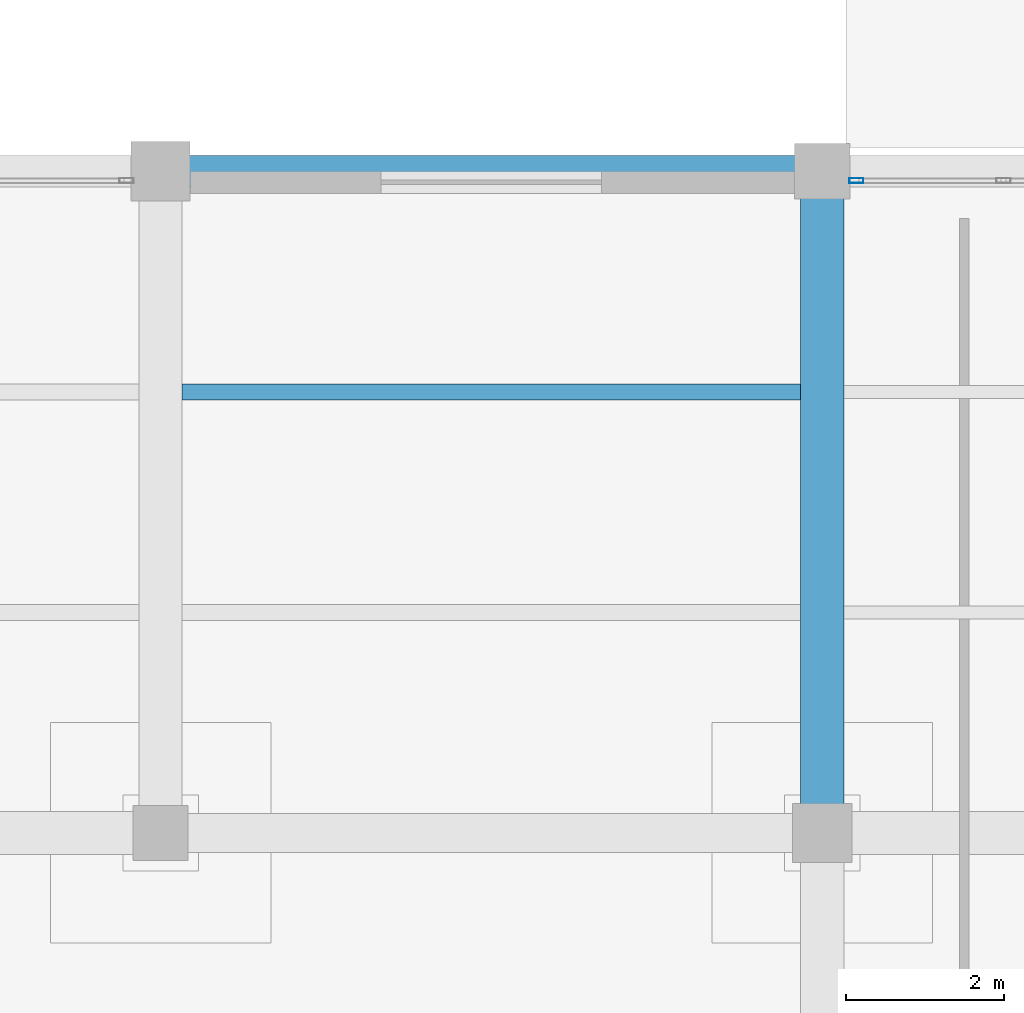
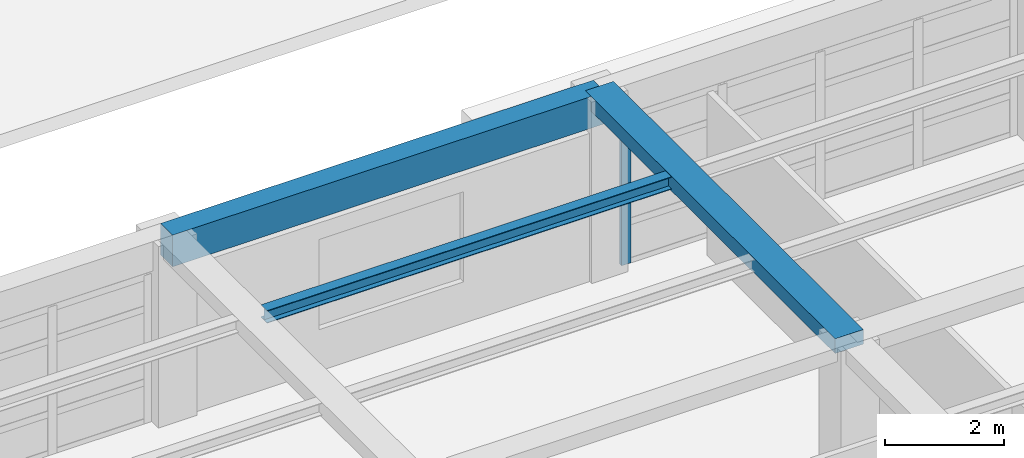
# One storey, part 24 of 35: 3 beams, 1 member, 1 element without a shape of its own.
"""IFC4 building model written with IfcOpenShell, lengths in metres."""

from ifc_helpers import new_model, si_unit, direction, frame, origin, origin_2d, place, context, subcontext, project, spatial, rectangle, hollow_rectangle, i_section, extrude, material, material_profile, profile_set, type_object, element, aggregate, save


model = new_model("IFC4")

# Units and contexts
model_context = context("Model", 3, precision=1e-05, world=origin(), true_north=direction((0.0, 1.0)))
body_context = subcontext(model_context, "Body", "Model", "MODEL_VIEW")
ifc_project = project(units=[si_unit("LENGTHUNIT", "METRE"), si_unit("AREAUNIT", "SQUARE_METRE"), si_unit("VOLUMEUNIT", "CUBIC_METRE"), si_unit("PLANEANGLEUNIT", "RADIAN"), si_unit("MASSUNIT", "GRAM", prefix="KILO")], contexts=[model_context])

# Site, building, storey
site_placement = place(None, origin())
site = spatial("IfcSite", under=ifc_project, at=site_placement, CompositionType="ELEMENT")
building_placement = place(site_placement, origin())
building = spatial("IfcBuilding", under=site, at=building_placement, Name="Almacenes y Pasaje Nevantli", CompositionType="ELEMENT")
storey_placement = place(building_placement, frame((0.0, 0.0, 26.699951171875)))
storey = spatial("IfcBuildingStorey", under=building, at=storey_placement, Name="L06", CompositionType="ELEMENT", Elevation=26.699951171875)

# Beams
ifc_material_1 = material(Name="Concrete C35/45", Category="concrete")
ifc_material_profile_1 = material_profile(ifc_material_1, rectangle(XDim=0.39990234375, YDim=0.64990234375, at=origin_2d()), Name="RC-BM-400x650")
ifc_profile_set_1 = profile_set([ifc_material_profile_1], Name="Concrete C35/45")
beam_type_1 = type_object("IfcBeamType", Name="BM-RC-400x650", PredefinedType="SPANDREL", material=ifc_profile_set_1)
beam_1_placement = place(storey_placement, frame((134.39990234375, 100.800048828125, 3.39501953125), z_axis=(1.0, 0.0, 0.0), x_axis=(0.0, 1.0, 0.0)))
element("IfcBeam", 1, at=beam_1_placement, inside=storey, type_object=beam_type_1, Name="L06 East-West Reinforced Concrete Beam #3600", PredefinedType="SPANDREL", context=body_context, shape_type="SweptSolid", body=[
    extrude(rectangle(XDim=0.39990234375, YDim=0.64990234375, at=origin_2d()), origin(), (0.0, 0.0, 1.0), 8.400146484375),
])
ifc_material_2 = material(Name="Concrete C35/45", Category="concrete")
ifc_material_profile_2 = material_profile(ifc_material_2, rectangle(XDim=0.550048828125, YDim=0.300048828125, at=origin_2d()), Name="RC-BM-550x300")
ifc_profile_set_2 = profile_set([ifc_material_profile_2], Name="Concrete C35/45")
beam_type_2 = type_object("IfcBeamType", Name="BM-RC-550x300", PredefinedType="BEAM", material=ifc_profile_set_2)
beam_2_placement = place(storey_placement, frame((142.800048828125, 92.39990234375, 3.570068359375), z_axis=(0.0, 1.0, 0.0), x_axis=(-1.0, 0.0, 0.0)))
element("IfcBeam", 2, at=beam_2_placement, inside=storey, type_object=beam_type_2, Name="L06 North-South Reinforced Concrete Beam #3620", PredefinedType="BEAM", context=body_context, shape_type="SweptSolid", body=[
    extrude(rectangle(XDim=0.550048828125, YDim=0.300048828125, at=origin_2d()), origin(), (0.0, 0.0, 1.0), 8.400146484375),
])
ifc_material_3 = material(Name="Steel ASTM A992", Category="steel")
ifc_material_profile_3 = material_profile(ifc_material_3, i_section(OverallWidth=0.2041015625, OverallDepth=0.258056640625, WebThickness=0.008056640625, FlangeThickness=0.013427734375, at=origin_2d()), Name="IR 254x58.0")
ifc_profile_set_3 = profile_set([ifc_material_profile_3], Name="Steel ASTM A992")
beam_type_3 = type_object("IfcBeamType", Name="BM-STL-IR-254x58p0", PredefinedType="JOIST", material=ifc_profile_set_3)
beam_3_placement = place(storey_placement, frame((134.675048828125, 98.0, 3.5830078125), z_axis=(1.0, 0.0, 0.0), x_axis=(0.0, 1.0, 0.0)))
element("IfcBeam", 3, at=beam_3_placement, inside=storey, type_object=beam_type_3, Name="L06 Secondary Steel Floor Joist #1370", PredefinedType="JOIST", context=body_context, shape_type="SweptSolid", body=[
    extrude(i_section(OverallWidth=0.2041015625, OverallDepth=0.258056640625, WebThickness=0.008056640625, FlangeThickness=0.013427734375, at=origin_2d()), origin(), (0.0, 0.0, 1.0), 7.849853515625),
])

# Curtain wall, member
ifc_material_4 = material(Name="Thermally Broken Aluminium and Low-E Glass", Category="aluminium")
curtain_wall_type = type_object("IfcCurtainWallType", Name="CW-UNIT-TOWER", PredefinedType="USERDEFINED", material=ifc_material_4)
curtain_wall_placement = place(storey_placement, origin())
curtain_wall = element("IfcCurtainWall", 4, at=curtain_wall_placement, inside=storey, type_object=curtain_wall_type, Name="L06 Tower North Boulevard Unitized Curtain Wall Bay 18", ObjectType="UNITIZED CURTAIN WALL", PredefinedType="USERDEFINED")
ifc_material_5 = material(Name="Thermally Broken Anodized Aluminium", Category="aluminium")
ifc_material_profile_4 = material_profile(ifc_material_5, hollow_rectangle(XDim=0.06494140625, YDim=0.179931640625, WallThickness=0.00390625, at=origin_2d()), Name="ALU-MUL-65x180")
ifc_profile_set_4 = profile_set([ifc_material_profile_4], Name="Thermally Broken Anodized Aluminium")
member_type = type_object("IfcMemberType", Name="CW-MUL-200", PredefinedType="MULLION", material=ifc_profile_set_4)
member_placement = place(storey_placement, frame((143.232421875, 100.679931640625, 0.0), z_axis=(0.0, 0.0, 1.0), x_axis=(0.0, 1.0, 0.0)))
member = element("IfcMember", 5, at=member_placement, type_object=member_type, Name="CW-L06-106 mullion 1", PredefinedType="MULLION", context=body_context, shape_type="SweptSolid", body=[
    extrude(hollow_rectangle(XDim=0.06494140625, YDim=0.179931640625, WallThickness=0.00390625, at=origin_2d()), origin(), (0.0, 0.0, 1.0), 3.0400390625),
])
aggregate(curtain_wall, [member])

save(model, "model.ifc")
